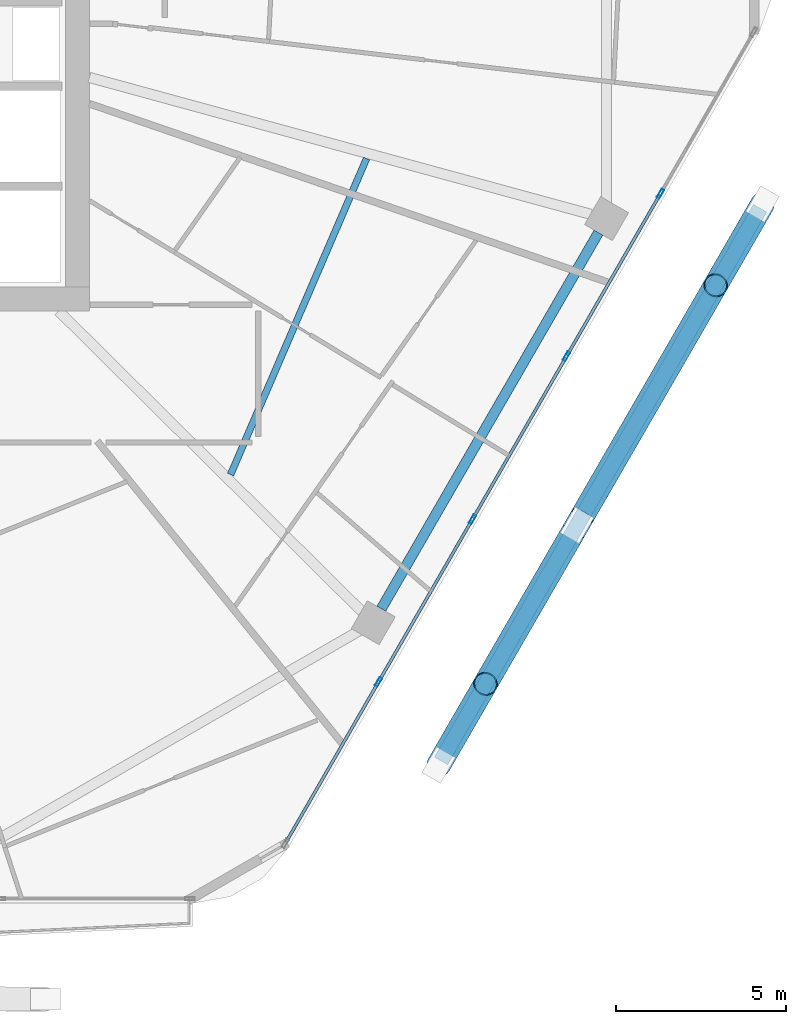
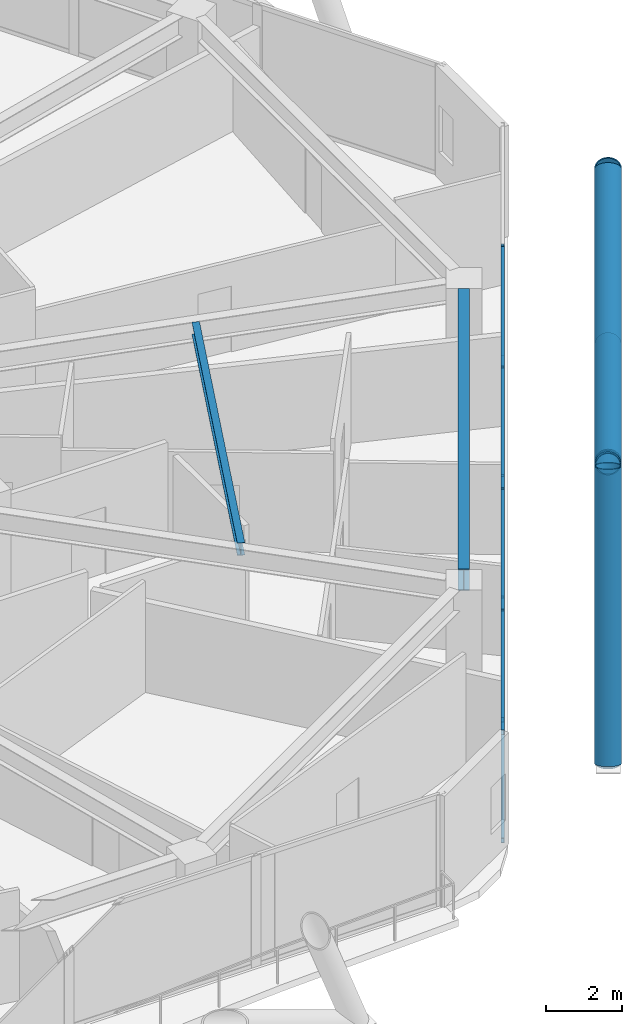
# One storey, part 8 of 28: 18 members, 2 beams, 1 element without a shape of its own.
"""IFC4 building model written with IfcOpenShell, lengths in metres."""

from ifc_helpers import new_model, si_unit, direction, frame, origin, origin_2d, place, context, subcontext, project, spatial, hollow_rectangle, hollow_circle, i_section, extrude, material, material_profile, profile_set, type_object, element, aggregate, save


model = new_model("IFC4")

# Units and contexts
model_context = context("Model", 3, precision=1e-05, world=origin(), true_north=direction((0.0, 1.0)))
body_context = subcontext(model_context, "Body", "Model", "MODEL_VIEW")
ifc_project = project(units=[si_unit("LENGTHUNIT", "METRE"), si_unit("AREAUNIT", "SQUARE_METRE"), si_unit("VOLUMEUNIT", "CUBIC_METRE"), si_unit("PLANEANGLEUNIT", "RADIAN"), si_unit("MASSUNIT", "GRAM", prefix="KILO")], contexts=[model_context])

# Site, building, storey
site_placement = place(None, origin())
site = spatial("IfcSite", under=ifc_project, at=site_placement, CompositionType="ELEMENT")
building_placement = place(site_placement, origin())
building = spatial("IfcBuilding", under=site, at=building_placement, Name="Zuhravey Tower", CompositionType="ELEMENT")
storey_placement = place(building_placement, frame((0.0, 0.0, 207.39990234375)))
storey = spatial("IfcBuildingStorey", under=building, at=storey_placement, Name="L52", CompositionType="ELEMENT", Elevation=207.39990234375)

# Curtain wall, members
ifc_material_1 = material(Name="Thermally broken anodised aluminium", Category="aluminium")
curtain_wall_type = type_object("IfcCurtainWallType", Name="Zone 1-2 Residential Curtain Wall CW3", PredefinedType="NOTDEFINED", material=ifc_material_1)
curtain_wall_placement = place(storey_placement, origin())
curtain_wall = element("IfcCurtainWall", 1, at=curtain_wall_placement, inside=storey, type_object=curtain_wall_type, Name="L52 CW3 CW-L52-F6-1", PredefinedType="NOTDEFINED")
ifc_material_2 = material(Name="Anodised aluminium", Category="aluminium")
ifc_material_profile_1 = material_profile(ifc_material_2, hollow_rectangle(XDim=0.090087890625, YDim=0.284912109375, WallThickness=0.0048828125, at=origin_2d()), Name="ALU-RHS-90x285x5")
ifc_profile_set_1 = profile_set([ifc_material_profile_1], Name="Anodised aluminium")
member_type_1 = type_object("IfcMemberType", Name="Curtain-Wall Mullion 90x180", PredefinedType="MULLION", material=ifc_profile_set_1)
member_1_placement = place(storey_placement, frame((63.699462890625, 25.61083984375, 0.0), z_axis=(0.0, 0.0, 1.0), x_axis=(0.866025138215, -0.500000459979, 0.0)))
member_1 = element("IfcMember", 2, at=member_1_placement, type_object=member_type_1, Name="CW3 mullion 2", PredefinedType="MULLION", context=body_context, shape_type="SweptSolid", body=[
    extrude(hollow_rectangle(XDim=0.090087890625, YDim=0.284912109375, WallThickness=0.0048828125, at=origin_2d()), origin(), (0.0, 0.0, 1.0), 3.550048828125),
])
member_2_placement = place(storey_placement, frame((60.92724609375, 20.809326171875, 0.0), z_axis=(0.0, 0.0, 1.0), x_axis=(0.866025138215, -0.500000459979, 0.0)))
member_2 = element("IfcMember", 3, at=member_2_placement, type_object=member_type_1, Name="CW3 mullion 3", PredefinedType="MULLION", context=body_context, shape_type="SweptSolid", body=[
    extrude(hollow_rectangle(XDim=0.090087890625, YDim=0.284912109375, WallThickness=0.0048828125, at=origin_2d()), origin(), (0.0, 0.0, 1.0), 3.550048828125),
])
member_3_placement = place(storey_placement, frame((58.155029296875, 16.007568359375, 0.0), z_axis=(0.0, 0.0, 1.0), x_axis=(0.866025138215, -0.500000459979, 0.0)))
member_3 = element("IfcMember", 4, at=member_3_placement, type_object=member_type_1, Name="CW3 mullion 4", PredefinedType="MULLION", context=body_context, shape_type="SweptSolid", body=[
    extrude(hollow_rectangle(XDim=0.090087890625, YDim=0.284912109375, WallThickness=0.0048828125, at=origin_2d()), origin(), (0.0, 0.0, 1.0), 3.550048828125),
])
member_4_placement = place(storey_placement, frame((55.3828125, 11.2060546875, 0.0), z_axis=(0.0, 0.0, 1.0), x_axis=(0.866025138215, -0.500000459979, 0.0)))
member_4 = element("IfcMember", 5, at=member_4_placement, type_object=member_type_1, Name="CW3 mullion 5", PredefinedType="MULLION", context=body_context, shape_type="SweptSolid", body=[
    extrude(hollow_rectangle(XDim=0.090087890625, YDim=0.284912109375, WallThickness=0.0048828125, at=origin_2d()), origin(), (0.0, 0.0, 1.0), 3.550048828125),
])
ifc_material_profile_2 = material_profile(ifc_material_2, hollow_rectangle(XDim=0.090087890625, YDim=0.14990234375, WallThickness=0.0048828125, at=origin_2d()), Name="ALU-RHS-90x150x5")
ifc_profile_set_2 = profile_set([ifc_material_profile_2], Name="Anodised aluminium")
member_type_2 = type_object("IfcMemberType", Name="Curtain-Wall Transom 90x150", PredefinedType="USERDEFINED", material=ifc_profile_set_2)
member_5_placement = place(storey_placement, frame((63.677001953125, 25.572021484375, 0.045166015625), z_axis=(-0.49996138257, -0.86604769842, 0.0), x_axis=(0.86604769842, -0.49996138257, 0.0)))
member_5 = element("IfcMember", 6, at=member_5_placement, type_object=member_type_2, Name="CW3 transom 2.1", ObjectType="TRANSOM", PredefinedType="USERDEFINED", context=body_context, shape_type="SweptSolid", body=[
    extrude(hollow_rectangle(XDim=0.090087890625, YDim=0.14990234375, WallThickness=0.0048828125, at=origin_2d()), origin(), (0.0, 0.0, 1.0), 5.45458984375),
])
member_6_placement = place(storey_placement, frame((63.677001953125, 25.572021484375, 3.505126953125), z_axis=(-0.49996138257, -0.86604769842, 0.0), x_axis=(0.86604769842, -0.49996138257, 0.0)))
member_6 = element("IfcMember", 7, at=member_6_placement, type_object=member_type_2, Name="CW3 transom 2.2", ObjectType="TRANSOM", PredefinedType="USERDEFINED", context=body_context, shape_type="SweptSolid", body=[
    extrude(hollow_rectangle(XDim=0.090087890625, YDim=0.14990234375, WallThickness=0.0048828125, at=origin_2d()), origin(), (0.0, 0.0, 1.0), 5.45458984375),
])
member_7_placement = place(storey_placement, frame((60.90478515625, 20.770263671875, 0.045166015625), z_axis=(-0.499980763544, -0.866036509673, 0.0), x_axis=(0.866036509673, -0.499980763544, 0.0)))
member_7 = element("IfcMember", 8, at=member_7_placement, type_object=member_type_2, Name="CW3 transom 3.1", ObjectType="TRANSOM", PredefinedType="USERDEFINED", context=body_context, shape_type="SweptSolid", body=[
    extrude(hollow_rectangle(XDim=0.090087890625, YDim=0.14990234375, WallThickness=0.0048828125, at=origin_2d()), origin(), (0.0, 0.0, 1.0), 5.454345703125),
])
member_8_placement = place(storey_placement, frame((60.90478515625, 20.770263671875, 3.505126953125), z_axis=(-0.499980763544, -0.866036509673, 0.0), x_axis=(0.866036509673, -0.499980763544, 0.0)))
member_8 = element("IfcMember", 9, at=member_8_placement, type_object=member_type_2, Name="CW3 transom 3.2", ObjectType="TRANSOM", PredefinedType="USERDEFINED", context=body_context, shape_type="SweptSolid", body=[
    extrude(hollow_rectangle(XDim=0.090087890625, YDim=0.14990234375, WallThickness=0.0048828125, at=origin_2d()), origin(), (0.0, 0.0, 1.0), 5.454345703125),
])
member_9_placement = place(storey_placement, frame((58.132568359375, 15.96875, 0.045166015625), z_axis=(-0.49996138257, -0.86604769842, 0.0), x_axis=(0.86604769842, -0.49996138257, 0.0)))
member_9 = element("IfcMember", 10, at=member_9_placement, type_object=member_type_2, Name="CW3 transom 4.1", ObjectType="TRANSOM", PredefinedType="USERDEFINED", context=body_context, shape_type="SweptSolid", body=[
    extrude(hollow_rectangle(XDim=0.090087890625, YDim=0.14990234375, WallThickness=0.0048828125, at=origin_2d()), origin(), (0.0, 0.0, 1.0), 5.45458984375),
])
member_10_placement = place(storey_placement, frame((58.132568359375, 15.96875, 3.505126953125), z_axis=(-0.49996138257, -0.86604769842, 0.0), x_axis=(0.86604769842, -0.49996138257, 0.0)))
member_10 = element("IfcMember", 11, at=member_10_placement, type_object=member_type_2, Name="CW3 transom 4.2", ObjectType="TRANSOM", PredefinedType="USERDEFINED", context=body_context, shape_type="SweptSolid", body=[
    extrude(hollow_rectangle(XDim=0.090087890625, YDim=0.14990234375, WallThickness=0.0048828125, at=origin_2d()), origin(), (0.0, 0.0, 1.0), 5.45458984375),
])
member_11_placement = place(storey_placement, frame((55.3603515625, 11.1669921875, 0.045166015625), z_axis=(-0.499993332629, -0.866029253159, 0.0), x_axis=(0.866029253159, -0.499993332629, 0.0)))
member_11 = element("IfcMember", 12, at=member_11_placement, type_object=member_type_2, Name="CW3 transom 5.1", ObjectType="TRANSOM", PredefinedType="USERDEFINED", context=body_context, shape_type="SweptSolid", body=[
    extrude(hollow_rectangle(XDim=0.090087890625, YDim=0.14990234375, WallThickness=0.0048828125, at=origin_2d()), origin(), (0.0, 0.0, 1.0), 5.4091796875),
])
member_12_placement = place(storey_placement, frame((55.3603515625, 11.1669921875, 3.505126953125), z_axis=(-0.499993332629, -0.866029253159, 0.0), x_axis=(0.866029253159, -0.499993332629, 0.0)))
member_12 = element("IfcMember", 13, at=member_12_placement, type_object=member_type_2, Name="CW3 transom 5.2", ObjectType="TRANSOM", PredefinedType="USERDEFINED", context=body_context, shape_type="SweptSolid", body=[
    extrude(hollow_rectangle(XDim=0.090087890625, YDim=0.14990234375, WallThickness=0.0048828125, at=origin_2d()), origin(), (0.0, 0.0, 1.0), 5.4091796875),
])
aggregate(curtain_wall, [member_1, member_2, member_3, member_4, member_5, member_6, member_7, member_8, member_9, member_10, member_11, member_12])

# Members
ifc_material_3 = material(Name="Steel SM355", Category="steel")
ifc_material_profile_3 = material_profile(ifc_material_3, hollow_circle(Radius=0.228515625, WallThickness=0.02197265625, at=origin_2d()), Name="CHS-457.2x22")
ifc_profile_set_3 = profile_set([ifc_material_profile_3], Name="Steel SM355")
member_type_3 = type_object("IfcMemberType", Name="Exoskeleton Ring Tie CHS457x22", PredefinedType="CHORD", material=ifc_profile_set_3)
member_13_placement = place(storey_placement, frame((57.22412109375, 8.874755859375, -0.4638671875), z_axis=(0.499989194203, 0.866031642424, 0.0), x_axis=(-0.866031642424, 0.499989194203, 0.0)))
element("IfcMember", 14, at=member_13_placement, inside=storey, type_object=member_type_3, Name="L52 Exoskeleton Face 6 Tie EXR1", PredefinedType="CHORD", context=body_context, shape_type="SweptSolid", body=[
    extrude(hollow_circle(Radius=0.228515625, WallThickness=0.02197265625, at=origin_2d()), origin(), (0.0, 0.0, 1.0), 18.830078125),
])
ifc_material_4 = material(Name="Steel SM460", Category="steel")
ifc_material_profile_4 = material_profile(ifc_material_4, hollow_circle(Radius=0.355712890625, WallThickness=0.031982421875, at=origin_2d()), Name="CHS-711.2x32")
ifc_profile_set_4 = profile_set([ifc_material_profile_4], Name="Steel SM460")
member_type_4 = type_object("IfcMemberType", Name="Exoskeleton Zone 2 Diagrid CHS711x32", PredefinedType="BRACE", material=ifc_profile_set_4)
member_14_placement = place(storey_placement, frame((57.15771484375, 8.760009765625, -0.44384765625), z_axis=(0.171428917165, 0.296929081792, 0.939385568734), x_axis=(-0.866029404905, 0.499993069792, 0.0)))
element("IfcMember", 15, at=member_14_placement, inside=storey, type_object=member_type_4, Name="L52 Face 6 Diagrid Brace 1", PredefinedType="BRACE", context=body_context, shape_type="SweptSolid", body=[
    extrude(hollow_circle(Radius=0.355712890625, WallThickness=0.031982421875, at=origin_2d()), origin(), (0.0, 0.0, 1.0), 8.0478515625),
])
member_15_placement = place(storey_placement, frame((57.175537109375, 8.790771484375, -0.44384765625), z_axis=(0.453338388553, 0.785209877744, 0.421817203724), x_axis=(-0.866026715089, 0.499997728747, 0.0)))
element("IfcMember", 16, at=member_15_placement, inside=storey, type_object=member_type_4, Name="L52 Face 6 Diagrid Brace 2", PredefinedType="BRACE", context=body_context, shape_type="SweptSolid", body=[
    extrude(hollow_circle(Radius=0.355712890625, WallThickness=0.031982421875, at=origin_2d()), origin(), (0.0, 0.0, 1.0), 17.922607421875),
])
member_16_placement = place(storey_placement, frame((66.705322265625, 25.296875, -0.44384765625), z_axis=(-0.171428917165, -0.296929081792, 0.939385568734), x_axis=(0.866029404905, -0.499993069792, 0.0)))
element("IfcMember", 17, at=member_16_placement, inside=storey, type_object=member_type_4, Name="L52 Face 6 Diagrid Brace 4", PredefinedType="BRACE", context=body_context, shape_type="SweptSolid", body=[
    extrude(hollow_circle(Radius=0.355712890625, WallThickness=0.031982421875, at=origin_2d()), origin(), (0.0, 0.0, 1.0), 8.0478515625),
])
member_17_placement = place(storey_placement, frame((66.6865234375, 25.264404296875, -0.4482421875), z_axis=(-0.472331580905, -0.818098632232, 0.328051071665), x_axis=(0.866024434144, -0.500001679462, 0.0)))
element("IfcMember", 18, at=member_17_placement, inside=storey, type_object=member_type_4, Name="L52 Face 6 Split Diagrid Brace 3A", PredefinedType="BRACE", context=body_context, shape_type="SweptSolid", body=[
    extrude(hollow_circle(Radius=0.355712890625, WallThickness=0.031982421875, at=origin_2d()), origin(), (0.0, 0.0, 1.0), 11.18994140625),
])
member_18_placement = place(storey_placement, frame((61.0966796875, 15.58251953125, 3.53515625), z_axis=(-0.408754040359, -0.707971912813, 0.575930469032), x_axis=(0.866022084834, -0.500005748546, 0.0)))
element("IfcMember", 19, at=member_18_placement, inside=storey, type_object=member_type_4, Name="L52 Face 6 Split Diagrid Brace 3B", PredefinedType="BRACE", context=body_context, shape_type="SweptSolid", body=[
    extrude(hollow_circle(Radius=0.355712890625, WallThickness=0.031982421875, at=origin_2d()), origin(), (0.0, 0.0, 1.0), 6.205078125),
])

# Beams
ifc_material_profile_5 = material_profile(ifc_material_3, i_section(OverallWidth=0.300048828125, OverallDepth=0.679931640625, WebThickness=0.012939453125, FlangeThickness=0.02197265625, at=origin_2d()), Name="H-680x300x13x22")
ifc_profile_set_5 = profile_set([ifc_material_profile_5], Name="Steel SM355")
beam_type_1 = type_object("IfcBeamType", Name="Perimeter Ring Beam H680x300", PredefinedType="BEAM", material=ifc_profile_set_5)
beam_1_placement = place(storey_placement, frame((55.464599609375, 13.367431640625, 3.210205078125), z_axis=(0.500003505699, 0.866023379758, 0.0), x_axis=(-0.866023379758, 0.500003505699, 0.0)))
element("IfcBeam", 20, at=beam_1_placement, inside=storey, type_object=beam_type_1, Name="L52 PB2 BM-L52-PB-11", PredefinedType="BEAM", context=body_context, shape_type="SweptSolid", body=[
    extrude(i_section(OverallWidth=0.300048828125, OverallDepth=0.679931640625, WebThickness=0.012939453125, FlangeThickness=0.02197265625, at=origin_2d()), origin(), (0.0, 0.0, 1.0), 12.80810546875),
])
ifc_material_profile_6 = material_profile(ifc_material_3, i_section(OverallWidth=0.199951171875, OverallDepth=0.39990234375, WebThickness=0.008056640625, FlangeThickness=0.012939453125, at=origin_2d()), Name="H-400x200x8x13")
ifc_profile_set_6 = profile_set([ifc_material_profile_6], Name="Steel SM355")
beam_type_2 = type_object("IfcBeamType", Name="Secondary Floor Joist H400x200", PredefinedType="JOIST", material=ifc_profile_set_6)
beam_2_placement = place(storey_placement, frame((51.017578125, 17.323974609375, 3.35009765625), z_axis=(0.395265853487, 0.918566766799, 0.0), x_axis=(-0.918566766799, 0.395265853487, 0.0)))
element("IfcBeam", 21, at=beam_2_placement, inside=storey, type_object=beam_type_2, Name="L52 SJ2 BM-L52-SJ-11-1", PredefinedType="JOIST", context=body_context, shape_type="SweptSolid", body=[
    extrude(i_section(OverallWidth=0.199951171875, OverallDepth=0.39990234375, WebThickness=0.008056640625, FlangeThickness=0.012939453125, at=origin_2d()), origin(), (0.0, 0.0, 1.0), 10.150146484375),
])

save(model, "model.ifc")
